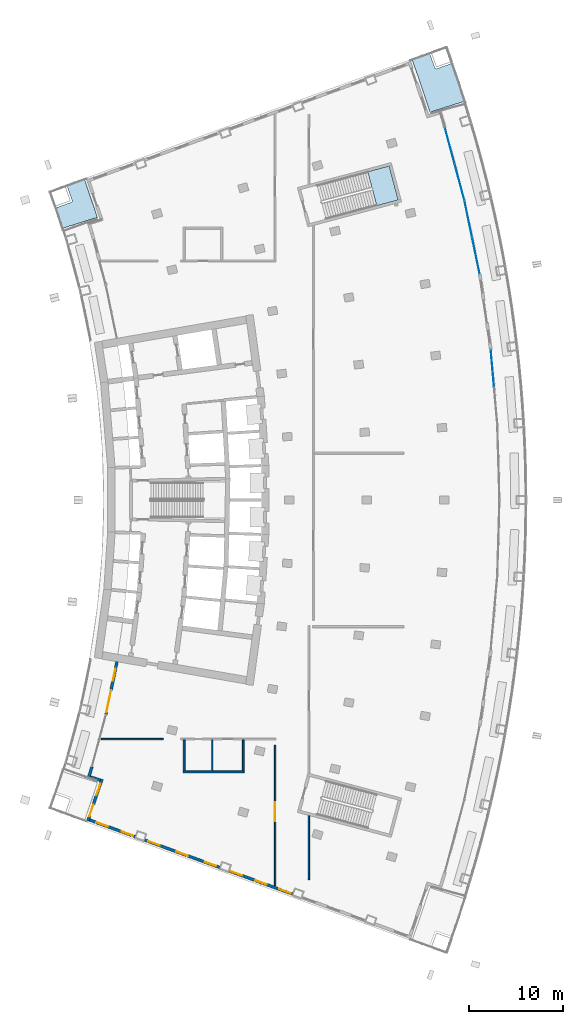
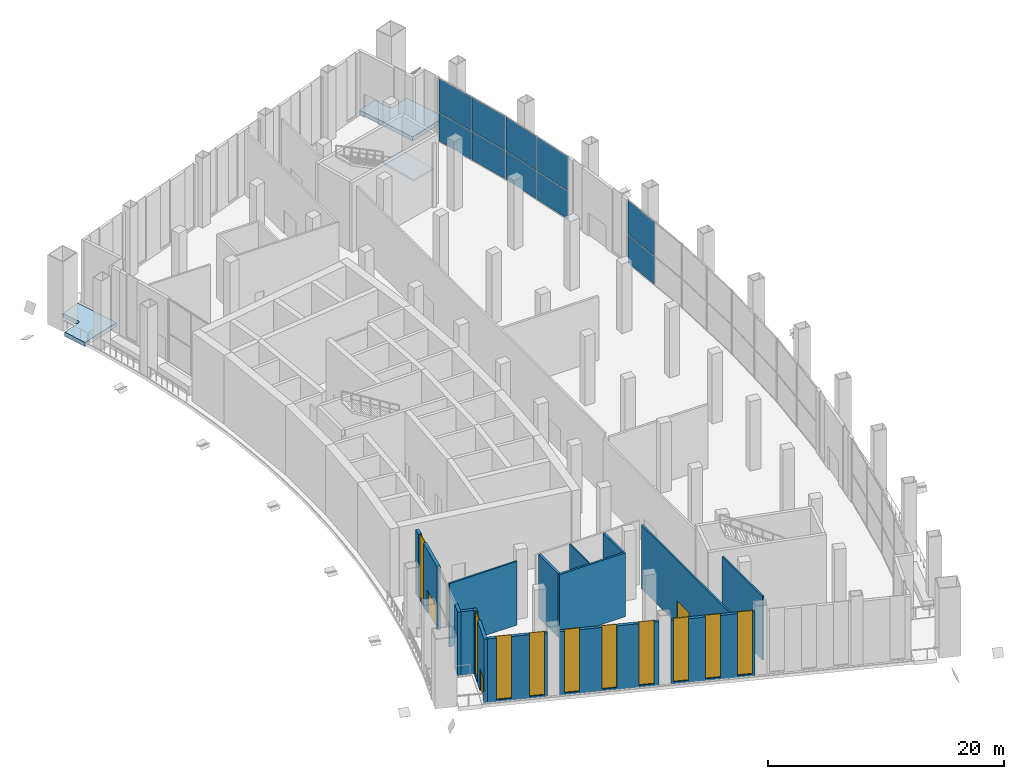
# One storey, part 8 of 18: 14 walls, 10 plates, 10 windows, 3 doors, 3 slabs, 13 openings, 4 elements without a shape of their own.
"""IFC4 building model written with IfcOpenShell, lengths in metres."""

from ifc_helpers import new_model, si_unit, direction, frame, frame_2d, origin, origin_2d, place, context, subcontext, project, spatial, polyline, rectangle, outline, extrude, material, layer, layer_set, type_object, element, fill, aggregate, save


model = new_model("IFC4")

# Units and contexts
model_context = context("Model", 3, precision=1e-05, world=origin(), true_north=direction((0.0, 1.0)))
body_context = subcontext(model_context, "Body", "Model", "MODEL_VIEW")
ifc_project = project(units=[si_unit("LENGTHUNIT", "METRE"), si_unit("AREAUNIT", "SQUARE_METRE"), si_unit("VOLUMEUNIT", "CUBIC_METRE"), si_unit("PLANEANGLEUNIT", "RADIAN"), si_unit("MASSUNIT", "GRAM", prefix="KILO")], contexts=[model_context])

# Site, building, storey
site_placement = place(None, origin())
site = spatial("IfcSite", under=ifc_project, at=site_placement, CompositionType="ELEMENT")
building_placement = place(site_placement, origin())
building = spatial("IfcBuilding", under=site, at=building_placement, Name="Alderwake Tower", CompositionType="ELEMENT")
storey_placement = place(building_placement, frame((0.0, 0.0, 125.60009765625)))
storey = spatial("IfcBuildingStorey", under=building, at=storey_placement, Name="L31", CompositionType="ELEMENT", Elevation=125.60009765625)

# Stair, slab
ifc_material_1 = material(Name="Concrete C40/50", Category="concrete")
stair_type = type_object("IfcStairType", Name="Core exit stair", PredefinedType="HALF_TURN_STAIR", material=ifc_material_1)
stair_placement = place(storey_placement, origin())
stair = element("IfcStair", 1, at=stair_placement, inside=storey, type_object=stair_type, Name="L31 Exit Stair A", PredefinedType="HALF_TURN_STAIR")
ifc_material_2 = material(Name="Concrete C40/50", Category="concrete")
ifc_layer_1 = layer(ifc_material_2, 0.199951171875)
ifc_layer_set_1 = layer_set([ifc_layer_1], Name="Core stair landing 200")
slab_type_1 = type_object("IfcSlabType", Name="Core stair landing 200", PredefinedType="LANDING", material=ifc_layer_set_1)
slab_1_placement = place(storey_placement, frame((0.0, 0.0, 3.39990234375)))
slab_1 = element("IfcSlab", 2, at=slab_1_placement, type_object=slab_type_1, Name="ST-A landing 1", PredefinedType="LANDING", context=body_context, shape_type="SweptSolid", body=[
    extrude(outline(polyline([(45.146240234375, 92.39306640625), (47.436279296875, 93.003173828125), (46.47119140625, 96.626708984375), (44.18115234375, 96.0166015625), (45.146240234375, 92.39306640625)])), origin(), (0.0, 0.0, 1.0), 0.199951171875),
])
aggregate(stair, [slab_1])

# Curtain wall, plates
ifc_material_3 = material(Name="Bronze tinted glass in aluminium frame", Category="aluminium")
ifc_layer_2 = layer(ifc_material_3, 0.199951171875)
ifc_layer_set_2 = layer_set([ifc_layer_2], Name="Curtain wall CW3 sky garden glazing")
curtain_wall_type = type_object("IfcCurtainWallType", Name="Curtain wall CW3 sky garden glazing", PredefinedType="NOTDEFINED", material=ifc_layer_set_2)
curtain_wall_1_placement = place(storey_placement, origin())
curtain_wall_1 = element("IfcCurtainWall", 3, at=curtain_wall_1_placement, inside=storey, type_object=curtain_wall_type, Name="Curtain wall 8", PredefinedType="NOTDEFINED")
ifc_material_4 = material(Name="Bronze tinted glass in aluminium frame", Category="aluminium")
ifc_layer_3 = layer(ifc_material_4, 0.028076171875)
ifc_layer_set_3 = layer_set([ifc_layer_3], Name="Glass panel GPC 28")
plate_type = type_object("IfcPlateType", Name="Glass panel GPC 28", PredefinedType="CURTAIN_PANEL", material=ifc_layer_set_3)
plate_1_placement = place(storey_placement, frame((57.487548828125, 75.070068359375, 0.06005859375), z_axis=(0.0, 0.0, 1.0), x_axis=(-0.087387632716, 0.996174383152, 0.0)))
plate_1 = element("IfcPlate", 4, at=plate_1_placement, type_object=plate_type, Name="CW.08 panel 2.1", PredefinedType="CURTAIN_PANEL", context=body_context, shape_type="SweptSolid", body=[
    extrude(rectangle(XDim=3.943115234375, YDim=0.028076171875, at=origin_2d()), origin(), (0.0, 0.0, 1.0), 2.909912109375),
])
plate_2_placement = place(storey_placement, frame((57.487548828125, 75.070068359375, 3.02978515625), z_axis=(0.0, 0.0, 1.0), x_axis=(-0.087387632716, 0.996174383152, 0.0)))
plate_2 = element("IfcPlate", 5, at=plate_2_placement, type_object=plate_type, Name="CW.08 panel 2.2", PredefinedType="CURTAIN_PANEL", context=body_context, shape_type="SweptSolid", body=[
    extrude(rectangle(XDim=3.943115234375, YDim=0.028076171875, at=origin_2d()), origin(), (0.0, 0.0, 1.0), 3.510009765625),
])
aggregate(curtain_wall_1, [plate_1, plate_2])

curtain_wall_2_placement = place(storey_placement, origin())
curtain_wall_2 = element("IfcCurtainWall", 6, at=curtain_wall_2_placement, inside=storey, type_object=curtain_wall_type, Name="Curtain wall 9", PredefinedType="NOTDEFINED")
plate_3_placement = place(storey_placement, frame((55.726806640625, 87.05859375, 0.06005859375), z_axis=(0.0, 0.0, 1.0), x_axis=(-0.202756050105, 0.979229280682, 0.0)))
plate_3 = element("IfcPlate", 7, at=plate_3_placement, type_object=plate_type, Name="CW.09 panel 1.1", PredefinedType="CURTAIN_PANEL", context=body_context, shape_type="SweptSolid", body=[
    extrude(rectangle(XDim=3.943115234375, YDim=0.028076171875, at=origin_2d()), origin(), (0.0, 0.0, 1.0), 2.909912109375),
])
plate_4_placement = place(storey_placement, frame((55.726806640625, 87.05859375, 3.02978515625), z_axis=(0.0, 0.0, 1.0), x_axis=(-0.202756050105, 0.979229280682, 0.0)))
plate_4 = element("IfcPlate", 8, at=plate_4_placement, type_object=plate_type, Name="CW.09 panel 1.2", PredefinedType="CURTAIN_PANEL", context=body_context, shape_type="SweptSolid", body=[
    extrude(rectangle(XDim=3.943115234375, YDim=0.028076171875, at=origin_2d()), origin(), (0.0, 0.0, 1.0), 3.510009765625),
])
plate_5_placement = place(storey_placement, frame((54.9150390625, 90.978515625, 0.06005859375), z_axis=(0.0, 0.0, 1.0), x_axis=(-0.202756050105, 0.979229280682, 0.0)))
plate_5 = element("IfcPlate", 9, at=plate_5_placement, type_object=plate_type, Name="CW.09 panel 2.1", PredefinedType="CURTAIN_PANEL", context=body_context, shape_type="SweptSolid", body=[
    extrude(rectangle(XDim=3.943115234375, YDim=0.028076171875, at=origin_2d()), origin(), (0.0, 0.0, 1.0), 2.909912109375),
])
plate_6_placement = place(storey_placement, frame((54.9150390625, 90.978515625, 3.02978515625), z_axis=(0.0, 0.0, 1.0), x_axis=(-0.202756050105, 0.979229280682, 0.0)))
plate_6 = element("IfcPlate", 10, at=plate_6_placement, type_object=plate_type, Name="CW.09 panel 2.2", PredefinedType="CURTAIN_PANEL", context=body_context, shape_type="SweptSolid", body=[
    extrude(rectangle(XDim=3.943115234375, YDim=0.028076171875, at=origin_2d()), origin(), (0.0, 0.0, 1.0), 3.510009765625),
])
aggregate(curtain_wall_2, [plate_3, plate_4, plate_5, plate_6])

curtain_wall_3_placement = place(storey_placement, origin())
curtain_wall_3 = element("IfcCurtainWall", 11, at=curtain_wall_3_placement, inside=storey, type_object=curtain_wall_type, Name="Curtain wall 10", PredefinedType="NOTDEFINED")
plate_7_placement = place(storey_placement, frame((53.976806640625, 94.927001953125, 0.06005859375), z_axis=(0.0, 0.0, 1.0), x_axis=(-0.25949861992, 0.965743478497, 0.0)))
plate_7 = element("IfcPlate", 12, at=plate_7_placement, type_object=plate_type, Name="CW.10 panel 1.1", PredefinedType="CURTAIN_PANEL", context=body_context, shape_type="SweptSolid", body=[
    extrude(rectangle(XDim=3.943115234375, YDim=0.028076171875, at=origin_2d()), origin(), (0.0, 0.0, 1.0), 2.909912109375),
])
plate_8_placement = place(storey_placement, frame((53.976806640625, 94.927001953125, 3.02978515625), z_axis=(0.0, 0.0, 1.0), x_axis=(-0.25949861992, 0.965743478497, 0.0)))
plate_8 = element("IfcPlate", 13, at=plate_8_placement, type_object=plate_type, Name="CW.10 panel 1.2", PredefinedType="CURTAIN_PANEL", context=body_context, shape_type="SweptSolid", body=[
    extrude(rectangle(XDim=3.943115234375, YDim=0.028076171875, at=origin_2d()), origin(), (0.0, 0.0, 1.0), 3.510009765625),
])
plate_9_placement = place(storey_placement, frame((52.93798828125, 98.79296875, 0.06005859375), z_axis=(0.0, 0.0, 1.0), x_axis=(-0.25949861992, 0.965743478497, 0.0)))
plate_9 = element("IfcPlate", 14, at=plate_9_placement, type_object=plate_type, Name="CW.10 panel 2.1", PredefinedType="CURTAIN_PANEL", context=body_context, shape_type="SweptSolid", body=[
    extrude(rectangle(XDim=3.943115234375, YDim=0.028076171875, at=origin_2d()), origin(), (0.0, 0.0, 1.0), 2.909912109375),
])
plate_10_placement = place(storey_placement, frame((52.93798828125, 98.79296875, 3.02978515625), z_axis=(0.0, 0.0, 1.0), x_axis=(-0.25949861992, 0.965743478497, 0.0)))
plate_10 = element("IfcPlate", 15, at=plate_10_placement, type_object=plate_type, Name="CW.10 panel 2.2", PredefinedType="CURTAIN_PANEL", context=body_context, shape_type="SweptSolid", body=[
    extrude(rectangle(XDim=3.943115234375, YDim=0.028076171875, at=origin_2d()), origin(), (0.0, 0.0, 1.0), 3.510009765625),
])
aggregate(curtain_wall_3, [plate_7, plate_8, plate_9, plate_10])

# Slabs
ifc_material_5 = material(Name="Concrete C50/60", Category="concrete")
ifc_layer_4 = layer(ifc_material_5, 0.419921875)
ifc_layer_set_4 = layer_set([ifc_layer_4], Name="Terrace slab 420")
slab_type_2 = type_object("IfcSlabType", Name="Terrace slab 420", PredefinedType="FLOOR", material=ifc_layer_set_4)
slab_2_placement = place(storey_placement, frame((0.0, 0.0, -0.420166015625)))
element("IfcSlab", 16, at=slab_2_placement, inside=storey, type_object=slab_type_2, Name="Corner terrace FN", PredefinedType="FLOOR", context=body_context, shape_type="SweptSolid", body=[
    extrude(outline(polyline([(53.331298828125, 107.477783203125), (53.9951171875, 105.528564453125), (54.630126953125, 103.569580078125), (50.816162109375, 102.36376953125), (50.19921875, 104.26708984375), (49.55419921875, 106.1611328125), (48.8818359375, 108.045654296875), (50.768798828125, 108.734375), (50.77001953125, 108.722412109375), (50.77294921875, 108.707763671875), (50.777099609375, 108.693603515625), (51.349853515625, 107.093017578125), (51.35546875, 107.07958984375), (51.3623046875, 107.06640625), (51.37060546875, 107.05419921875), (51.3798828125, 107.04296875), (51.390380859375, 107.032470703125), (51.401611328125, 107.023193359375), (51.4140625, 107.014892578125), (51.427001953125, 107.008056640625), (51.4404296875, 107.00244140625), (51.45458984375, 106.998046875), (51.468994140625, 106.995361328125), (51.483642578125, 106.993896484375), (51.498291015625, 106.993896484375), (51.51318359375, 106.995361328125), (51.527587890625, 106.998046875), (51.54150390625, 107.00244140625), (53.279296875, 107.6240234375), (53.331298828125, 107.477783203125)])), origin(), (0.0, 0.0, 1.0), 0.420166015625),
])
slab_3_placement = place(storey_placement, frame((0.0, 0.0, -0.420166015625)))
element("IfcSlab", 17, at=slab_3_placement, inside=storey, type_object=slab_type_2, Name="Corner terrace RN", PredefinedType="FLOOR", context=body_context, shape_type="SweptSolid", body=[
    extrude(outline(polyline([(10.8095703125, 92.131591796875), (12.560302734375, 92.752197265625), (12.573974609375, 92.7578125), (12.5869140625, 92.7646484375), (12.59912109375, 92.772705078125), (12.610595703125, 92.781982421875), (12.62109375, 92.79248046875), (12.63037109375, 92.803955078125), (12.638671875, 92.816162109375), (12.6455078125, 92.8291015625), (12.6513671875, 92.842529296875), (12.655517578125, 92.856689453125), (12.658447265625, 92.87109375), (12.659912109375, 92.8857421875), (12.66015625, 92.900390625), (12.65869140625, 92.915283203125), (12.65576171875, 92.9296875), (12.651611328125, 92.943603515625), (12.08349609375, 94.5458984375), (12.077880859375, 94.5595703125), (12.071044921875, 94.572509765625), (12.06298828125, 94.5849609375), (12.0537109375, 94.59619140625), (12.04931640625, 94.6005859375), (13.937255859375, 95.289794921875), (15.34716796875, 91.1484375), (11.533203125, 89.942626953125), (11.101318359375, 91.2744140625), (10.8095703125, 92.131591796875)])), origin(), (0.0, 0.0, 1.0), 0.420166015625),
])

# Wall
ifc_material_6 = material(Name="Gypsum board on metal studs, rated")
ifc_layer_5 = layer(ifc_material_6, 0.159912109375)
ifc_layer_set_5 = layer_set([ifc_layer_5], Name="Corridor wall 160")
wall_type_1 = type_object("IfcWallType", Name="Corridor wall 160", PredefinedType="PARTITIONING", material=ifc_layer_set_5)
wall_1_placement = place(storey_placement, frame((15.781982421875, 35.4990234375, 0.0), z_axis=(0.0, 0.0, 1.0), x_axis=(1.0, 0.0, 0.0)))
element("IfcWall", 18, at=wall_1_placement, inside=storey, type_object=wall_type_1, Name="WL/L31/W10", PredefinedType="PARTITIONING", context=body_context, shape_type="SweptSolid", body=[
    extrude(rectangle(XDim=6.60400390625, YDim=0.159912109375, at=frame_2d((3.302001953125, 0.0))), origin(), (0.0, 0.0, 1.0), 6.599853515625),
])

# Wall, opening, door
wall_2_placement = place(storey_placement, frame((34.299072265625, 34.819091796875, 0.0), z_axis=(0.0, 0.0, 1.0), x_axis=(0.0, -1.0, 0.0)))
wall_2 = element("IfcWall", 19, at=wall_2_placement, inside=storey, type_object=wall_type_1, Name="WL/L31/W13", PredefinedType="PARTITIONING", context=body_context, shape_type="SweptSolid", body=[
    extrude(rectangle(XDim=14.989990234375, YDim=0.159912109375, at=frame_2d((7.4951171875, 0.0))), origin(), (0.0, 0.0, 1.0), 6.599853515625),
])
opening_1_placement = place(wall_2_placement, frame((6.069091796875, 0.0, 0.0)))
opening_1 = element("IfcOpeningElement", 20, at=opening_1_placement, cuts=wall_2, Name="Opening L31-05", PredefinedType="OPENING", context=body_context, shape_type="SweptSolid", body=[
    extrude(rectangle(XDim=2.0, YDim=2.39990234375, at=frame_2d((1.0, 1.199951171875))), frame((0.0, 0.08984375, 0.0), z_axis=(0.0, -1.0, 0.0), x_axis=(1.0, 0.0, 0.0)), (0.0, 0.0, 1.0), 0.179931640625),
])
ifc_material_7 = material(Name="Timber leaves with glazed panels", Category="wood")
door_type_1 = type_object("IfcDoorType", Name="Hall double door 2000", OperationType="DOUBLE_DOOR_SINGLE_SWING", PredefinedType="DOOR", material=ifc_material_7)
door_1_placement = place(opening_1_placement, origin())
door_1 = element("IfcDoor", 21, at=door_1_placement, inside=storey, type_object=door_type_1, Name="DR/L31/05", OperationType="DOUBLE_DOOR_SINGLE_SWING", OverallHeight=2.39990234375, OverallWidth=2.0, PredefinedType="DOOR", context=body_context, shape_type="SweptSolid", body=[
    extrude(rectangle(XDim=2.0, YDim=2.39990234375, at=frame_2d((1.0, 1.199951171875))), frame((0.0, 0.02490234375, 0.0), z_axis=(0.0, -1.0, 0.0), x_axis=(1.0, 0.0, 0.0)), (0.0, 0.0, 1.0), 0.050048828125),
])
fill(opening_1, door_1)

# Wall
wall_3_placement = place(storey_placement, frame((37.89892578125, 20.49609375, 0.0), z_axis=(0.0, 0.0, 1.0), x_axis=(0.0, 1.0, 0.0)))
element("IfcWall", 22, at=wall_3_placement, inside=storey, type_object=wall_type_1, Name="WL/L31/W16", PredefinedType="PARTITIONING", context=body_context, shape_type="SweptSolid", body=[
    extrude(rectangle(XDim=6.8388671875, YDim=0.159912109375, at=frame_2d((3.41943359375, 0.0))), origin(), (0.0, 0.0, 1.0), 6.599853515625),
])

# Wall, openings, door, window
ifc_material_8 = material(Name="Precast concrete C50/60 spandrel panel", Category="concrete")
ifc_layer_6 = layer(ifc_material_8, 0.300048828125)
ifc_layer_set_6 = layer_set([ifc_layer_6], Name="External wall EW1 Precast concrete C50/60 spandrel")
wall_type_2 = type_object("IfcWallType", Name="External wall EW1 Precast concrete C50/60 spandrel", PredefinedType="SOLIDWALL", material=ifc_layer_set_6)
wall_4_placement = place(storey_placement, frame((17.436279296875, 43.7607421875, 0.0), z_axis=(0.0, 0.0, 1.0), x_axis=(-0.202748605446, -0.97923082212, 0.0)))
wall_4 = element("IfcWall", 23, at=wall_4_placement, inside=storey, type_object=wall_type_2, Name="External wall 4", PredefinedType="SOLIDWALL", context=body_context, shape_type="SweptSolid", body=[
    extrude(rectangle(XDim=5.75830078125, YDim=0.300048828125, at=frame_2d((2.879150390625, 0.0))), origin(), (0.0, 0.0, 1.0), 6.599853515625),
])
opening_2_placement = place(wall_4_placement, frame((0.781982421875, 0.0, 0.199951171875)))
opening_2 = element("IfcOpeningElement", 24, at=opening_2_placement, cuts=wall_4, Name="Opening W5", PredefinedType="OPENING", context=body_context, shape_type="SweptSolid", body=[
    extrude(rectangle(XDim=1.300048828125, YDim=6.5, at=frame_2d((0.64990234375, 3.25))), frame((0.0, 0.159912109375, 0.0), z_axis=(0.0, -1.0, 0.0), x_axis=(1.0, 0.0, 0.0)), (0.0, 0.0, 1.0), 0.320068359375),
])
opening_3_placement = place(wall_4_placement, frame((3.1162109375, 0.0, 0.0)))
opening_3 = element("IfcOpeningElement", 25, at=opening_3_placement, cuts=wall_4, Name="Opening D02", PredefinedType="OPENING", context=body_context, shape_type="SweptSolid", body=[
    extrude(rectangle(XDim=2.39990234375, YDim=2.39990234375, at=frame_2d((1.199951171875, 1.199951171875))), frame((0.0, 0.159912109375, 0.0), z_axis=(0.0, -1.0, 0.0), x_axis=(1.0, 0.0, 0.0)), (0.0, 0.0, 1.0), 0.320068359375),
])
ifc_material_9 = material(Name="Bronze tinted glass in aluminium frame", Category="aluminium")
door_type_2 = type_object("IfcDoorType", Name="Garden door GD sliding", OperationType="DOUBLE_DOOR_SINGLE_SWING", PredefinedType="DOOR", material=ifc_material_9)
door_2_placement = place(opening_3_placement, origin())
door_2 = element("IfcDoor", 26, at=door_2_placement, inside=storey, type_object=door_type_2, Name="Door D02", OperationType="DOUBLE_DOOR_SINGLE_SWING", OverallHeight=2.39990234375, OverallWidth=2.39990234375, PredefinedType="DOOR", context=body_context, shape_type="SweptSolid", body=[
    extrude(rectangle(XDim=2.39990234375, YDim=2.39990234375, at=frame_2d((1.199951171875, 1.199951171875))), frame((0.0, 0.02490234375, 0.0), z_axis=(0.0, -1.0, 0.0), x_axis=(1.0, 0.0, 0.0)), (0.0, 0.0, 1.0), 0.050048828125),
])
fill(opening_3, door_2)
ifc_material_10 = material(Name="Bronze tinted glass in aluminium frame", Category="aluminium")
window_type = type_object("IfcWindowType", Name="Window W5 garden floor tall", PartitioningType="SINGLE_PANEL", PredefinedType="WINDOW", material=ifc_material_10)
window_1_placement = place(opening_2_placement, origin())
window_1 = element("IfcWindow", 27, at=window_1_placement, inside=storey, type_object=window_type, Name="Window W5 garden floor tall", OverallHeight=6.5, OverallWidth=1.300048828125, PartitioningType="SINGLE_PANEL", PredefinedType="WINDOW", context=body_context, shape_type="SweptSolid", body=[
    extrude(rectangle(XDim=1.300048828125, YDim=6.5, at=frame_2d((0.64990234375, 3.25))), frame((0.0, 0.030029296875, 0.0), z_axis=(0.0, -1.0, 0.0), x_axis=(1.0, 0.0, 0.0)), (0.0, 0.0, 1.0), 0.06005859375),
])
fill(opening_2, window_1)

# Walls
wall_5_placement = place(storey_placement, frame((14.77099609375, 32.546630859375, 0.0), z_axis=(0.0, 0.0, 1.0), x_axis=(-0.294693229182, -0.95559191116, 0.0)))
element("IfcWall", 28, at=wall_5_placement, inside=storey, type_object=wall_type_2, Name="External wall 5", PredefinedType="SOLIDWALL", context=body_context, shape_type="SweptSolid", body=[
    extrude(rectangle(XDim=1.24267578125, YDim=0.300048828125, at=frame_2d((0.621337890625, 0.0))), origin(), (0.0, 0.0, 1.0), 6.599853515625),
])
ifc_material_11 = material(Name="Bronze metal cladding on lightweight framing")
ifc_layer_7 = layer(ifc_material_11, 0.300048828125)
ifc_layer_set_7 = layer_set([ifc_layer_7], Name="External wall EW2 bronze metal cladding")
wall_type_3 = type_object("IfcWallType", Name="External wall EW2 bronze metal cladding", PredefinedType="SOLIDWALL", material=ifc_layer_set_7)
wall_6_placement = place(storey_placement, frame((14.592041015625, 31.457275390625, 0.0), z_axis=(0.0, 0.0, 1.0), x_axis=(0.953449116427, -0.301553946061, 0.0)))
element("IfcWall", 29, at=wall_6_placement, inside=storey, type_object=wall_type_3, Name="External wall 6", PredefinedType="SOLIDWALL", context=body_context, shape_type="SweptSolid", body=[
    extrude(rectangle(XDim=1.10595703125, YDim=0.300048828125, at=frame_2d((0.552978515625, 0.0))), origin(), (0.0, 0.0, 1.0), 6.599853515625),
])

# Wall, openings, door, window
wall_7_placement = place(storey_placement, frame((15.83740234375, 31.220703125, 0.0), z_axis=(0.0, 0.0, 1.0), x_axis=(-0.32041006121, -0.947278941324, 0.0)))
wall_7 = element("IfcWall", 30, at=wall_7_placement, inside=storey, type_object=wall_type_3, Name="External wall 7", PredefinedType="SOLIDWALL", context=body_context, shape_type="SweptSolid", body=[
    extrude(rectangle(XDim=4.68994140625, YDim=0.300048828125, at=frame_2d((2.344970703125, 0.0))), origin(), (0.0, 0.0, 1.0), 6.599853515625),
])
opening_4_placement = place(wall_7_placement, frame((0.5224609375, 0.0, 0.199951171875)))
opening_4 = element("IfcOpeningElement", 31, at=opening_4_placement, cuts=wall_7, Name="Opening W5", PredefinedType="OPENING", context=body_context, shape_type="SweptSolid", body=[
    extrude(rectangle(XDim=1.300048828125, YDim=6.5, at=frame_2d((0.64990234375, 3.25))), frame((0.0, 0.159912109375, 0.0), z_axis=(0.0, -1.0, 0.0), x_axis=(1.0, 0.0, 0.0)), (0.0, 0.0, 1.0), 0.320068359375),
])
opening_5_placement = place(wall_7_placement, frame((2.867431640625, 0.0, 0.0)))
opening_5 = element("IfcOpeningElement", 32, at=opening_5_placement, cuts=wall_7, Name="Opening D03", PredefinedType="OPENING", context=body_context, shape_type="SweptSolid", body=[
    extrude(rectangle(XDim=1.300048828125, YDim=2.39990234375, at=frame_2d((0.64990234375, 1.199951171875))), frame((0.0, 0.159912109375, 0.0), z_axis=(0.0, -1.0, 0.0), x_axis=(1.0, 0.0, 0.0)), (0.0, 0.0, 1.0), 0.320068359375),
])
ifc_material_12 = material(Name="Bronze tinted glass in aluminium frame", Category="aluminium")
door_type_3 = type_object("IfcDoorType", Name="Balcony door BD sliding", OperationType="SLIDING_TO_LEFT", PredefinedType="DOOR", material=ifc_material_12)
door_3_placement = place(opening_5_placement, origin())
door_3 = element("IfcDoor", 33, at=door_3_placement, inside=storey, type_object=door_type_3, Name="Door D03", OperationType="SLIDING_TO_LEFT", OverallHeight=2.39990234375, OverallWidth=1.300048828125, PredefinedType="DOOR", context=body_context, shape_type="SweptSolid", body=[
    extrude(rectangle(XDim=1.300048828125, YDim=2.39990234375, at=frame_2d((0.64990234375, 1.199951171875))), frame((0.0, 0.02490234375, 0.0), z_axis=(0.0, -1.0, 0.0), x_axis=(1.0, 0.0, 0.0)), (0.0, 0.0, 1.0), 0.050048828125),
])
fill(opening_5, door_3)
window_2_placement = place(opening_4_placement, origin())
window_2 = element("IfcWindow", 34, at=window_2_placement, inside=storey, type_object=window_type, Name="Window W5 garden floor tall", OverallHeight=6.5, OverallWidth=1.300048828125, PartitioningType="SINGLE_PANEL", PredefinedType="WINDOW", context=body_context, shape_type="SweptSolid", body=[
    extrude(rectangle(XDim=1.300048828125, YDim=6.5, at=frame_2d((0.64990234375, 3.25))), frame((0.0, 0.030029296875, 0.0), z_axis=(0.0, -1.0, 0.0), x_axis=(1.0, 0.0, 0.0)), (0.0, 0.0, 1.0), 0.06005859375),
])
fill(opening_4, window_2)

# Wall, openings, windows
wall_8_placement = place(storey_placement, frame((14.523681640625, 26.86865234375, 0.0), z_axis=(0.0, 0.0, 1.0), x_axis=(0.939378067131, -0.342883138974, 0.0)))
wall_8 = element("IfcWall", 35, at=wall_8_placement, inside=storey, type_object=wall_type_3, Name="External wall 8", PredefinedType="SOLIDWALL", context=body_context, shape_type="SweptSolid", body=[
    extrude(rectangle(XDim=5.17431640625, YDim=0.300048828125, at=frame_2d((2.587158203125, 0.0))), origin(), (0.0, 0.0, 1.0), 6.599853515625),
])
opening_6_placement = place(wall_8_placement, frame((0.775390625, 0.0, 0.199951171875)))
opening_6 = element("IfcOpeningElement", 36, at=opening_6_placement, cuts=wall_8, Name="Opening W5", PredefinedType="OPENING", context=body_context, shape_type="SweptSolid", body=[
    extrude(rectangle(XDim=1.300048828125, YDim=6.5, at=frame_2d((0.64990234375, 3.25))), frame((0.0, 0.159912109375, 0.0), z_axis=(0.0, -1.0, 0.0), x_axis=(1.0, 0.0, 0.0)), (0.0, 0.0, 1.0), 0.320068359375),
])
opening_7_placement = place(wall_8_placement, frame((3.626220703125, 0.0, 0.199951171875)))
opening_7 = element("IfcOpeningElement", 37, at=opening_7_placement, cuts=wall_8, Name="Opening W5", PredefinedType="OPENING", context=body_context, shape_type="SweptSolid", body=[
    extrude(rectangle(XDim=1.300048828125, YDim=6.5, at=frame_2d((0.64990234375, 3.25))), frame((0.0, 0.159912109375, 0.0), z_axis=(0.0, -1.0, 0.0), x_axis=(1.0, 0.0, 0.0)), (0.0, 0.0, 1.0), 0.320068359375),
])
window_3_placement = place(opening_6_placement, origin())
window_3 = element("IfcWindow", 38, at=window_3_placement, inside=storey, type_object=window_type, Name="Window W5 garden floor tall", OverallHeight=6.5, OverallWidth=1.300048828125, PartitioningType="SINGLE_PANEL", PredefinedType="WINDOW", context=body_context, shape_type="SweptSolid", body=[
    extrude(rectangle(XDim=1.300048828125, YDim=6.5, at=frame_2d((0.64990234375, 3.25))), frame((0.0, 0.030029296875, 0.0), z_axis=(0.0, -1.0, 0.0), x_axis=(1.0, 0.0, 0.0)), (0.0, 0.0, 1.0), 0.06005859375),
])
fill(opening_6, window_3)
window_4_placement = place(opening_7_placement, origin())
window_4 = element("IfcWindow", 39, at=window_4_placement, inside=storey, type_object=window_type, Name="Window W5 garden floor tall", OverallHeight=6.5, OverallWidth=1.300048828125, PartitioningType="SINGLE_PANEL", PredefinedType="WINDOW", context=body_context, shape_type="SweptSolid", body=[
    extrude(rectangle(XDim=1.300048828125, YDim=6.5, at=frame_2d((0.64990234375, 3.25))), frame((0.0, 0.030029296875, 0.0), z_axis=(0.0, -1.0, 0.0), x_axis=(1.0, 0.0, 0.0)), (0.0, 0.0, 1.0), 0.06005859375),
])
fill(opening_7, window_4)

wall_9_placement = place(storey_placement, frame((20.375244140625, 24.73291015625, 0.0), z_axis=(0.0, 0.0, 1.0), x_axis=(0.939364770023, -0.342919566137, 0.0)))
wall_9 = element("IfcWall", 40, at=wall_9_placement, inside=storey, type_object=wall_type_3, Name="External wall 9", PredefinedType="SOLIDWALL", context=body_context, shape_type="SweptSolid", body=[
    extrude(rectangle(XDim=8.54541015625, YDim=0.300048828125, at=frame_2d((4.272705078125, 0.0))), origin(), (0.0, 0.0, 1.0), 6.599853515625),
])
opening_8_placement = place(wall_9_placement, frame((0.422607421875, 0.0, 0.199951171875)))
opening_8 = element("IfcOpeningElement", 41, at=opening_8_placement, cuts=wall_9, Name="Opening W5", PredefinedType="OPENING", context=body_context, shape_type="SweptSolid", body=[
    extrude(rectangle(XDim=1.300048828125, YDim=6.5, at=frame_2d((0.64990234375, 3.25))), frame((0.0, 0.159912109375, 0.0), z_axis=(0.0, -1.0, 0.0), x_axis=(1.0, 0.0, 0.0)), (0.0, 0.0, 1.0), 0.320068359375),
])
opening_9_placement = place(wall_9_placement, frame((3.622802734375, 0.0, 0.199951171875)))
opening_9 = element("IfcOpeningElement", 42, at=opening_9_placement, cuts=wall_9, Name="Opening W5", PredefinedType="OPENING", context=body_context, shape_type="SweptSolid", body=[
    extrude(rectangle(XDim=1.300048828125, YDim=6.5, at=frame_2d((0.64990234375, 3.25))), frame((0.0, 0.159912109375, 0.0), z_axis=(0.0, -1.0, 0.0), x_axis=(1.0, 0.0, 0.0)), (0.0, 0.0, 1.0), 0.320068359375),
])
opening_10_placement = place(wall_9_placement, frame((6.82275390625, 0.0, 0.199951171875)))
opening_10 = element("IfcOpeningElement", 43, at=opening_10_placement, cuts=wall_9, Name="Opening W5", PredefinedType="OPENING", context=body_context, shape_type="SweptSolid", body=[
    extrude(rectangle(XDim=1.300048828125, YDim=6.5, at=frame_2d((0.64990234375, 3.25))), frame((0.0, 0.159912109375, 0.0), z_axis=(0.0, -1.0, 0.0), x_axis=(1.0, 0.0, 0.0)), (0.0, 0.0, 1.0), 0.320068359375),
])
window_5_placement = place(opening_8_placement, origin())
window_5 = element("IfcWindow", 44, at=window_5_placement, inside=storey, type_object=window_type, Name="Window W5 garden floor tall", OverallHeight=6.5, OverallWidth=1.300048828125, PartitioningType="SINGLE_PANEL", PredefinedType="WINDOW", context=body_context, shape_type="SweptSolid", body=[
    extrude(rectangle(XDim=1.300048828125, YDim=6.5, at=frame_2d((0.64990234375, 3.25))), frame((0.0, 0.030029296875, 0.0), z_axis=(0.0, -1.0, 0.0), x_axis=(1.0, 0.0, 0.0)), (0.0, 0.0, 1.0), 0.06005859375),
])
fill(opening_8, window_5)
window_6_placement = place(opening_9_placement, origin())
window_6 = element("IfcWindow", 45, at=window_6_placement, inside=storey, type_object=window_type, Name="Window W5 garden floor tall", OverallHeight=6.5, OverallWidth=1.300048828125, PartitioningType="SINGLE_PANEL", PredefinedType="WINDOW", context=body_context, shape_type="SweptSolid", body=[
    extrude(rectangle(XDim=1.300048828125, YDim=6.5, at=frame_2d((0.64990234375, 3.25))), frame((0.0, 0.030029296875, 0.0), z_axis=(0.0, -1.0, 0.0), x_axis=(1.0, 0.0, 0.0)), (0.0, 0.0, 1.0), 0.06005859375),
])
fill(opening_9, window_6)
window_7_placement = place(opening_10_placement, origin())
window_7 = element("IfcWindow", 46, at=window_7_placement, inside=storey, type_object=window_type, Name="Window W5 garden floor tall", OverallHeight=6.5, OverallWidth=1.300048828125, PartitioningType="SINGLE_PANEL", PredefinedType="WINDOW", context=body_context, shape_type="SweptSolid", body=[
    extrude(rectangle(XDim=1.300048828125, YDim=6.5, at=frame_2d((0.64990234375, 3.25))), frame((0.0, 0.030029296875, 0.0), z_axis=(0.0, -1.0, 0.0), x_axis=(1.0, 0.0, 0.0)), (0.0, 0.0, 1.0), 0.06005859375),
])
fill(opening_10, window_7)

wall_10_placement = place(storey_placement, frame((29.39306640625, 21.44091796875, 0.0), z_axis=(0.0, 0.0, 1.0), x_axis=(0.939375665231, -0.342889719256, 0.0)))
wall_10 = element("IfcWall", 47, at=wall_10_placement, inside=storey, type_object=wall_type_3, Name="External wall 10", PredefinedType="SOLIDWALL", context=body_context, shape_type="SweptSolid", body=[
    extrude(rectangle(XDim=7.212646484375, YDim=0.300048828125, at=frame_2d((3.6064453125, 0.0))), origin(), (0.0, 0.0, 1.0), 6.599853515625),
])
opening_11_placement = place(wall_10_placement, frame((0.20068359375, 0.0, 0.199951171875)))
opening_11 = element("IfcOpeningElement", 48, at=opening_11_placement, cuts=wall_10, Name="Opening W5", PredefinedType="OPENING", context=body_context, shape_type="SweptSolid", body=[
    extrude(rectangle(XDim=1.300048828125, YDim=6.5, at=frame_2d((0.64990234375, 3.25))), frame((0.0, 0.159912109375, 0.0), z_axis=(0.0, -1.0, 0.0), x_axis=(1.0, 0.0, 0.0)), (0.0, 0.0, 1.0), 0.320068359375),
])
opening_12_placement = place(wall_10_placement, frame((2.956298828125, 0.0, 0.199951171875)))
opening_12 = element("IfcOpeningElement", 49, at=opening_12_placement, cuts=wall_10, Name="Opening W5", PredefinedType="OPENING", context=body_context, shape_type="SweptSolid", body=[
    extrude(rectangle(XDim=1.300048828125, YDim=6.5, at=frame_2d((0.64990234375, 3.25))), frame((0.0, 0.159912109375, 0.0), z_axis=(0.0, -1.0, 0.0), x_axis=(1.0, 0.0, 0.0)), (0.0, 0.0, 1.0), 0.320068359375),
])
opening_13_placement = place(wall_10_placement, frame((5.7119140625, 0.0, 0.199951171875)))
opening_13 = element("IfcOpeningElement", 50, at=opening_13_placement, cuts=wall_10, Name="Opening W5", PredefinedType="OPENING", context=body_context, shape_type="SweptSolid", body=[
    extrude(rectangle(XDim=1.300048828125, YDim=6.5, at=frame_2d((0.64990234375, 3.25))), frame((0.0, 0.159912109375, 0.0), z_axis=(0.0, -1.0, 0.0), x_axis=(1.0, 0.0, 0.0)), (0.0, 0.0, 1.0), 0.320068359375),
])
window_8_placement = place(opening_11_placement, origin())
window_8 = element("IfcWindow", 51, at=window_8_placement, inside=storey, type_object=window_type, Name="Window W5 garden floor tall", OverallHeight=6.5, OverallWidth=1.300048828125, PartitioningType="SINGLE_PANEL", PredefinedType="WINDOW", context=body_context, shape_type="SweptSolid", body=[
    extrude(rectangle(XDim=1.300048828125, YDim=6.5, at=frame_2d((0.64990234375, 3.25))), frame((0.0, 0.030029296875, 0.0), z_axis=(0.0, -1.0, 0.0), x_axis=(1.0, 0.0, 0.0)), (0.0, 0.0, 1.0), 0.06005859375),
])
fill(opening_11, window_8)
window_9_placement = place(opening_12_placement, origin())
window_9 = element("IfcWindow", 52, at=window_9_placement, inside=storey, type_object=window_type, Name="Window W5 garden floor tall", OverallHeight=6.5, OverallWidth=1.300048828125, PartitioningType="SINGLE_PANEL", PredefinedType="WINDOW", context=body_context, shape_type="SweptSolid", body=[
    extrude(rectangle(XDim=1.300048828125, YDim=6.5, at=frame_2d((0.64990234375, 3.25))), frame((0.0, 0.030029296875, 0.0), z_axis=(0.0, -1.0, 0.0), x_axis=(1.0, 0.0, 0.0)), (0.0, 0.0, 1.0), 0.06005859375),
])
fill(opening_12, window_9)
window_10_placement = place(opening_13_placement, origin())
window_10 = element("IfcWindow", 53, at=window_10_placement, inside=storey, type_object=window_type, Name="Window W5 garden floor tall", OverallHeight=6.5, OverallWidth=1.300048828125, PartitioningType="SINGLE_PANEL", PredefinedType="WINDOW", context=body_context, shape_type="SweptSolid", body=[
    extrude(rectangle(XDim=1.300048828125, YDim=6.5, at=frame_2d((0.64990234375, 3.25))), frame((0.0, 0.030029296875, 0.0), z_axis=(0.0, -1.0, 0.0), x_axis=(1.0, 0.0, 0.0)), (0.0, 0.0, 1.0), 0.06005859375),
])
fill(opening_13, window_10)

# Walls
ifc_material_13 = material(Name="Dense block masonry wall", Category="masonry")
ifc_layer_8 = layer(ifc_material_13, 0.199951171875)
ifc_layer_set_8 = layer_set([ifc_layer_8], Name="Party wall 200")
wall_type_4 = type_object("IfcWallType", Name="Party wall 200", PredefinedType="SOLIDWALL", material=ifc_layer_set_8)
wall_11_placement = place(storey_placement, frame((24.5, 32.0009765625, 0.0), z_axis=(0.0, 0.0, 1.0), x_axis=(1.0, 0.0, 0.0)))
element("IfcWall", 54, at=wall_11_placement, inside=storey, type_object=wall_type_4, Name="WL/L31/W01", PredefinedType="SOLIDWALL", context=body_context, shape_type="SweptSolid", body=[
    extrude(rectangle(XDim=6.5, YDim=0.199951171875, at=frame_2d((3.25, 0.0))), origin(), (0.0, 0.0, 1.0), 6.599853515625),
])
for number, where, z_axis, x_axis, name in (
    (55, (24.60009765625, 35.4189453125, 0.0), (0.0, 0.0, 1.0), (0.0, -1.0, 0.0), "WL/L31/W02"),
    (56, (30.89990234375, 32.10107421875, 0.0), (0.0, 0.0, 1.0), (0.0, 1.0, 0.0), "WL/L31/W06"),
):
    element("IfcWall", number, at=place(storey_placement, frame(where, z_axis=z_axis, x_axis=x_axis)), inside=storey, type_object=wall_type_4, Name=name, PredefinedType="SOLIDWALL", context=body_context, shape_type="SweptSolid", body=[
        extrude(rectangle(XDim=3.31787109375, YDim=0.199951171875, at=frame_2d((1.658935546875, 0.0))), origin(), (0.0, 0.0, 1.0), 6.599853515625),
    ])
ifc_material_14 = material(Name="Moisture resistant gypsum board on metal studs")
ifc_layer_9 = layer(ifc_material_14, 0.1201171875)
ifc_layer_set_9 = layer_set([ifc_layer_9], Name="Wet room partition 120")
wall_type_5 = type_object("IfcWallType", Name="Wet room partition 120", PredefinedType="PARTITIONING", material=ifc_layer_set_9)
wall_12_placement = place(storey_placement, frame((27.60009765625, 32.10107421875, 0.0), z_axis=(0.0, 0.0, 1.0), x_axis=(0.0, 1.0, 0.0)))
element("IfcWall", 57, at=wall_12_placement, inside=storey, type_object=wall_type_5, Name="WL/L31/W21", PredefinedType="PARTITIONING", context=body_context, shape_type="SweptSolid", body=[
    extrude(rectangle(XDim=3.31787109375, YDim=0.1201171875, at=frame_2d((1.658935546875, 0.0))), origin(), (0.0, 0.0, 1.0), 6.599853515625),
])

save(model, "model.ifc")
